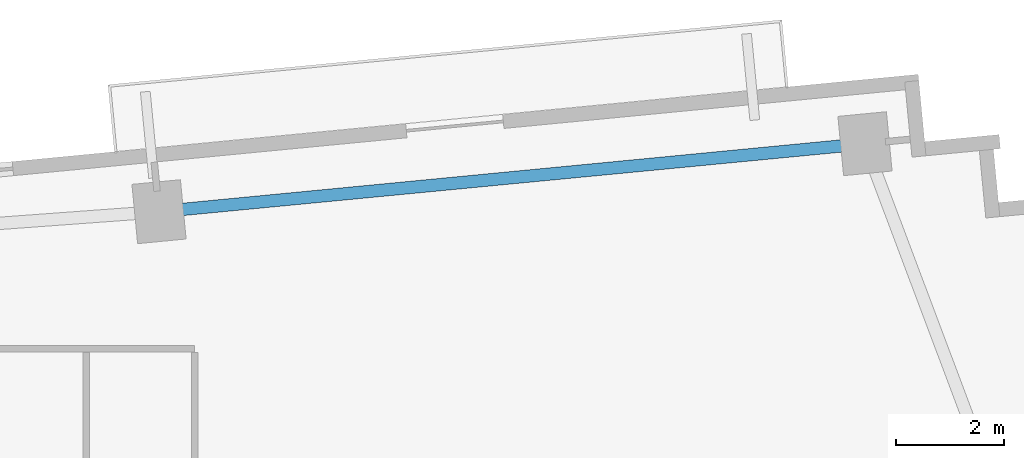
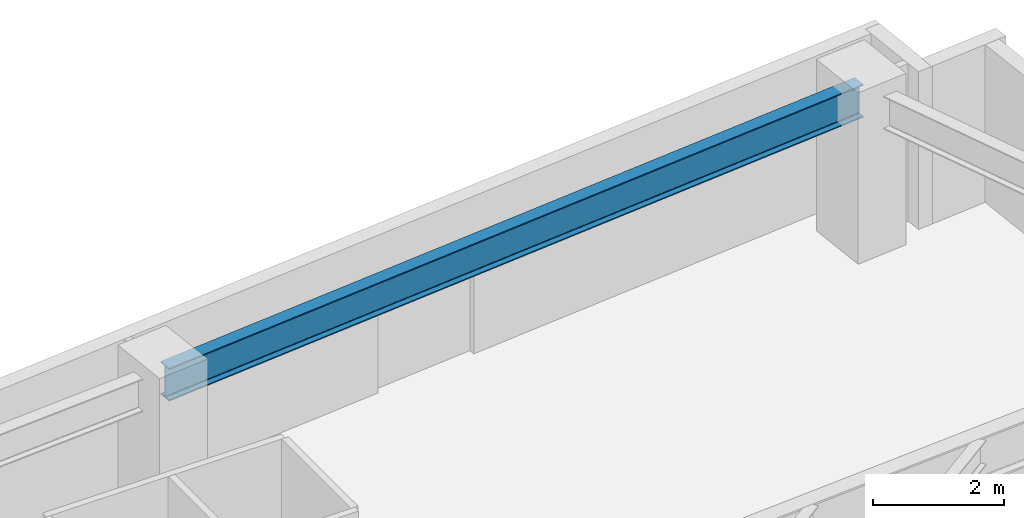
# One storey, part 18 of 27: 1 beam.
"""IFC4 building model written with IfcOpenShell, lengths in metres."""

from ifc_helpers import new_model, si_unit, direction, frame, origin, origin_2d, place, context, subcontext, project, spatial, i_section, extrude, source, transform, mapped, material, material_profile, profile_set, type_object, type_shapes, element, save


model = new_model("IFC4")

# Units and contexts
model_context = context("Model", 3, precision=1e-05, world=origin(), true_north=direction((0.0, 1.0)))
body_context = subcontext(model_context, "Body", "Model", "MODEL_VIEW")
ifc_project = project(units=[si_unit("LENGTHUNIT", "METRE"), si_unit("AREAUNIT", "SQUARE_METRE"), si_unit("VOLUMEUNIT", "CUBIC_METRE"), si_unit("PLANEANGLEUNIT", "RADIAN"), si_unit("MASSUNIT", "GRAM", prefix="KILO")], contexts=[model_context])

# Site, building, storey
site_placement = place(None, origin())
site = spatial("IfcSite", under=ifc_project, at=site_placement, CompositionType="ELEMENT")
building_placement = place(site_placement, origin())
building = spatial("IfcBuilding", under=site, at=building_placement, Name="Astriad Promenade Condominiums", CompositionType="ELEMENT")
storey_placement = place(building_placement, frame((0.0, 0.0, 109.800048828125)))
storey = spatial("IfcBuildingStorey", under=building, at=storey_placement, Name="L31", CompositionType="ELEMENT", Elevation=109.800048828125)

# Beam
ifc_material = material(Name="Steel ASTM A992 Grade 50", Category="steel")
ifc_material_profile = material_profile(ifc_material, i_section(OverallWidth=0.22900390625, OverallDepth=0.612060546875, WebThickness=0.011962890625, FlangeThickness=0.01953125, FilletRadius=0.017822265625, at=origin_2d()), Name="W24X84")
ifc_profile_set = profile_set([ifc_material_profile], Name="Steel ASTM A992 Grade 50")
beam_type = type_object("IfcBeamType", Name="STEEL SPANDREL BEAM W24X84", PredefinedType="SPANDREL", material=ifc_profile_set)
shared_shape = source(origin(), body_context, "Body", "SweptSolid", [
    extrude(i_section(OverallWidth=0.22900390625, OverallDepth=0.612060546875, WebThickness=0.011962890625, FlangeThickness=0.01953125, FilletRadius=0.017822265625, at=origin_2d()), origin(), (0.0, 0.0, 1.0), 13.020263671875),
])
type_shapes(beam_type, [shared_shape])
beam_placement = place(storey_placement, frame((64.394287109375, 27.5869140625, 2.6337890625), z_axis=(-0.995395311238, -0.095854965264, 0.0), x_axis=(0.095854965264, -0.995395311238, 0.0)))
element("IfcBeam", 1, at=beam_placement, inside=storey, type_object=beam_type, Name="Perimeter Spandrel Beam SP-N4-L31", PredefinedType="SPANDREL", context=body_context, shape_type="MappedRepresentation", body=[
    mapped(shared_shape, transform((0.0, 0.0, 0.0), scale=1.0)),
])

save(model, "model.ifc")
